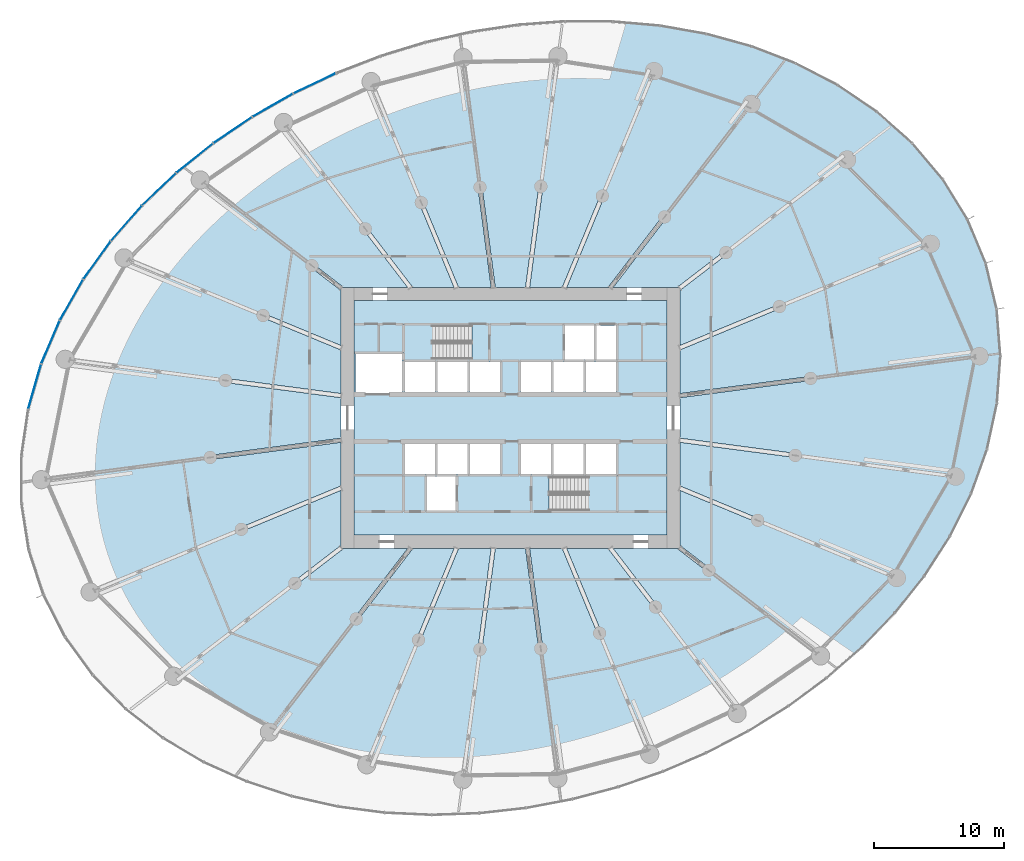
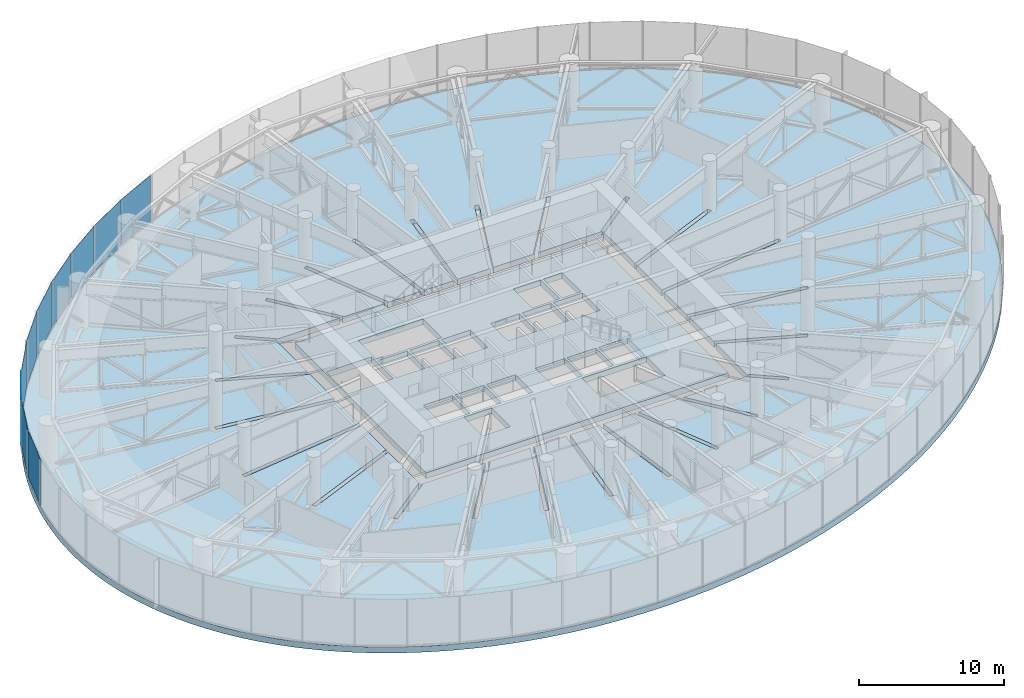
# One storey, part 19 of 42: 10 plates, 4 slabs, 5 elements without a shape of their own.
"""IFC4 building model written with IfcOpenShell, lengths in metres."""

from ifc_helpers import new_model, si_unit, direction, frame, origin, origin_2d, place, context, subcontext, project, spatial, line, indexed_curve, rectangle, outline, extrude, source, transform, mapped, material, layer, layer_set, type_object, element, aggregate, save


model = new_model("IFC4")

# Units and contexts
model_context = context("Model", 3, precision=1e-05, world=origin(), true_north=direction((0.0, 1.0)))
body_context = subcontext(model_context, "Body", "Model", "MODEL_VIEW")
ifc_project = project(units=[si_unit("LENGTHUNIT", "METRE"), si_unit("AREAUNIT", "SQUARE_METRE"), si_unit("VOLUMEUNIT", "CUBIC_METRE"), si_unit("PLANEANGLEUNIT", "RADIAN"), si_unit("MASSUNIT", "GRAM", prefix="KILO")], contexts=[model_context])

# Site, building, storey
site_placement = place(None, origin())
site = spatial("IfcSite", under=ifc_project, at=site_placement, CompositionType="ELEMENT")
building_placement = place(site_placement, origin())
building = spatial("IfcBuilding", under=site, at=building_placement, Name="Spindrift Exchange Tower", CompositionType="ELEMENT")
storey_placement = place(building_placement, frame((0.0, 0.0, 75.39990234375)))
storey = spatial("IfcBuildingStorey", under=building, at=storey_placement, Name="L17", CompositionType="ELEMENT", Elevation=75.39990234375)

# Slabs
ifc_material_1 = material(Name="Concrete 50 MPa", Category="concrete")
ifc_layer_1 = layer(ifc_material_1, 0.5)
ifc_layer_set_1 = layer_set([ifc_layer_1], Name="RC Floor Slab 500 Concrete 50 MPa")
slab_type_1 = type_object("IfcSlabType", Name="RC Floor Slab 500 Concrete 50 MPa", PredefinedType="FLOOR", material=ifc_layer_set_1)
slab_1_placement = place(storey_placement, frame((0.0, 0.0, -0.5)))
element("IfcSlab", 1, at=slab_1_placement, inside=storey, type_object=slab_type_1, Name="Floor slab L17", PredefinedType="FLOOR", context=body_context, shape_type="SweptSolid", body=[
    extrude(outline(indexed_curve([(88.4638671875, 59.879150390625), (88.272216796875, 60.44189453125), (88.06591796875, 60.999755859375), (87.84521484375, 61.5517578125), (87.610107421875, 62.097900390625), (87.36083984375, 62.6376953125), (87.097900390625, 63.1708984375), (86.82080078125, 63.697265625), (86.53076171875, 64.21630859375), (86.227294921875, 64.7275390625), (85.9111328125, 65.231201171875), (85.582275390625, 65.7265625), (85.2412109375, 66.213623046875), (84.88818359375, 66.69189453125), (84.5234375, 67.16162109375), (84.1474609375, 67.622314453125), (83.7607421875, 68.073974609375), (83.36328125, 68.51611328125), (82.955322265625, 68.948974609375), (82.53759765625, 69.3720703125), (82.1103515625, 69.78564453125), (81.673828125, 70.189208984375), (81.228515625, 70.583251953125), (80.7744140625, 70.96728515625), (80.312255859375, 71.34130859375), (79.842041015625, 71.705078125), (79.3642578125, 72.05908203125), (78.879150390625, 72.4033203125), (78.38720703125, 72.737060546875), (77.888427734375, 73.06103515625), (77.383544921875, 73.374755859375), (76.872314453125, 73.6787109375), (76.35546875, 73.972412109375), (75.8330078125, 74.25634765625), (75.305419921875, 74.530517578125), (74.7724609375, 74.794677734375), (74.235107421875, 75.048828125), (73.693115234375, 75.29345703125), (73.146728515625, 75.5283203125), (72.596435546875, 75.753662109375), (72.04248046875, 75.96923828125), (71.484619140625, 76.175537109375), (70.923583984375, 76.372314453125), (69.7919921875, 76.73779296875), (69.2216796875, 76.906494140625), (68.07373046875, 77.217041015625), (66.916748046875, 77.491455078125), (66.335205078125, 77.615234375), (65.751708984375, 77.730224609375), (64.580078125, 77.9345703125), (63.9921875, 78.023681640625), (62.81298828125, 78.1767578125), (62.2216796875, 78.240478515625), (61.037109375, 78.34375), (60.44384765625, 78.383056640625), (59.255859375, 78.4375), (58.06689453125, 78.460205078125), (57.47216796875, 78.459716796875), (56.877685546875, 78.451416015625), (55.689208984375, 78.411865234375), (55.09521484375, 78.380615234375), (53.9091796875, 78.29541015625), (53.31689453125, 78.24169921875), (52.134765625, 78.112060546875), (51.544921875, 78.0361328125), (50.368408203125, 77.86279296875), (49.196533203125, 77.66064453125), (48.612548828125, 77.549072265625), (48.02978515625, 77.43017578125), (46.869140625, 77.171630859375), (45.71484375, 76.88525390625), (44.56787109375, 76.5712890625), (43.4287109375, 76.22998046875), (42.8623046875, 76.049072265625), (41.736083984375, 75.667236328125), (40.619140625, 75.2587890625), (40.064453125, 75.04443359375), (38.963134765625, 74.595947265625), (38.41650390625, 74.36181640625), (37.331787109375, 73.8740234375), (36.259521484375, 73.360107421875), (35.72802734375, 73.09326171875), (35.199951171875, 72.820068359375), (34.15380859375, 72.25439453125), (33.122314453125, 71.662841796875), (32.612060546875, 71.357421875), (32.105712890625, 71.045654296875), (31.10498046875, 70.40283203125), (30.121337890625, 69.73486328125), (29.635986328125, 69.391357421875), (29.1552734375, 69.04150390625), (28.207763671875, 68.32275390625), (27.7412109375, 67.9541015625), (26.823486328125, 67.19775390625), (25.9267578125, 66.41650390625), (25.48681640625, 66.0166015625), (24.623779296875, 65.198486328125), (24.201416015625, 64.780029296875), (23.374755859375, 63.9248046875), (22.97119140625, 63.48828125), (22.18408203125, 62.596923828125), (21.80078125, 62.142333984375), (21.055908203125, 61.21533203125), (20.694580078125, 60.742919921875), (19.995361328125, 59.781005859375), (19.657958984375, 59.29150390625), (19.32861328125, 58.79638671875), (19.0078125, 58.295654296875), (18.69580078125, 57.78955078125), (18.392822265625, 57.27783203125), (18.098876953125, 56.760986328125), (17.814453125, 56.239013671875), (17.53955078125, 55.711669921875), (17.2744140625, 55.179443359375), (17.01953125, 54.64208984375), (16.77490234375, 54.100341796875), (16.540771484375, 53.5537109375), (16.3173828125, 53.00244140625), (16.105224609375, 52.447021484375), (15.904296875, 51.887451171875), (15.715087890625, 51.32373046875), (15.537353515625, 50.75634765625), (15.371826171875, 50.185302734375), (15.21875, 49.610595703125), (15.077880859375, 49.032958984375), (14.949951171875, 48.452392578125), (14.835205078125, 47.868896484375), (14.7333984375, 47.282958984375), (14.64501953125, 46.695068359375), (14.570556640625, 46.10498046875), (14.509765625, 45.513671875), (14.463134765625, 44.9208984375), (14.4306640625, 44.3271484375), (14.41259765625, 43.73291015625), (14.4091796875, 43.13818359375), (14.42041015625, 42.543701171875), (14.446533203125, 41.94970703125), (14.487548828125, 41.3564453125), (14.543701171875, 40.764404296875), (14.61474609375, 40.174072265625), (14.700927734375, 39.585693359375), (14.802490234375, 39.0), (14.919189453125, 38.4169921875), (15.05078125, 37.8369140625), (15.197509765625, 37.2607421875), (15.359375, 36.688720703125), (15.5361328125, 36.120849609375), (15.727783203125, 35.55810546875), (15.93408203125, 35.000244140625), (16.15478515625, 34.4482421875), (16.389892578125, 33.902099609375), (16.63916015625, 33.3623046875), (16.902099609375, 32.8291015625), (17.17919921875, 32.302734375), (17.46923828125, 31.78369140625), (17.772705078125, 31.2724609375), (18.0888671875, 30.768798828125), (18.417724609375, 30.2734375), (18.7587890625, 29.786376953125), (19.11181640625, 29.30810546875), (19.4765625, 28.83837890625), (19.8525390625, 28.377685546875), (20.2392578125, 27.926025390625), (20.63671875, 27.48388671875), (21.044677734375, 27.051025390625), (21.46240234375, 26.6279296875), (21.8896484375, 26.21435546875), (22.326171875, 25.810791015625), (22.771484375, 25.416748046875), (23.2255859375, 25.03271484375), (23.687744140625, 24.65869140625), (24.157958984375, 24.294921875), (24.6357421875, 23.94091796875), (25.120849609375, 23.5966796875), (25.61279296875, 23.262939453125), (26.111572265625, 22.93896484375), (26.616455078125, 22.625244140625), (27.127685546875, 22.3212890625), (27.64453125, 22.027587890625), (28.1669921875, 21.74365234375), (28.694580078125, 21.469482421875), (29.2275390625, 21.205322265625), (29.764892578125, 20.951171875), (30.306884765625, 20.70654296875), (30.853271484375, 20.4716796875), (31.403564453125, 20.246337890625), (31.95751953125, 20.03076171875), (32.515380859375, 19.824462890625), (33.076416015625, 19.627685546875), (34.2080078125, 19.26220703125), (34.7783203125, 19.093505859375), (35.92626953125, 18.782958984375), (37.083251953125, 18.508544921875), (37.664794921875, 18.384765625), (38.248291015625, 18.269775390625), (39.419921875, 18.0654296875), (40.0078125, 17.976318359375), (41.18701171875, 17.8232421875), (41.7783203125, 17.759521484375), (42.962890625, 17.65625), (43.55615234375, 17.616943359375), (44.744140625, 17.5625), (45.93310546875, 17.539794921875), (46.52783203125, 17.540283203125), (47.122314453125, 17.548583984375), (48.310791015625, 17.588134765625), (48.90478515625, 17.619384765625), (50.0908203125, 17.70458984375), (50.68310546875, 17.75830078125), (51.865234375, 17.887939453125), (52.455078125, 17.9638671875), (53.631591796875, 18.13720703125), (54.218017578125, 18.234619140625), (55.387451171875, 18.450927734375), (55.97021484375, 18.56982421875), (57.130859375, 18.828369140625), (58.28515625, 19.11474609375), (59.43212890625, 19.4287109375), (60.5712890625, 19.77001953125), (61.1376953125, 19.950927734375), (62.263916015625, 20.332763671875), (63.380859375, 20.7412109375), (63.935546875, 20.95556640625), (65.036865234375, 21.404052734375), (65.58349609375, 21.63818359375), (66.668212890625, 22.1259765625), (67.740478515625, 22.639892578125), (68.27197265625, 22.90673828125), (68.800048828125, 23.179931640625), (69.84619140625, 23.74560546875), (70.877685546875, 24.337158203125), (71.387939453125, 24.642578125), (71.894287109375, 24.954345703125), (72.89501953125, 25.59716796875), (73.878662109375, 26.26513671875), (74.364013671875, 26.608642578125), (74.8447265625, 26.95849609375), (75.792236328125, 27.67724609375), (76.72021484375, 28.4208984375), (77.176513671875, 28.80224609375), (78.0732421875, 29.58349609375), (78.51318359375, 29.9833984375), (79.376220703125, 30.801513671875), (79.798583984375, 31.219970703125), (80.625244140625, 32.0751953125), (81.02880859375, 32.51171875), (81.81591796875, 33.403076171875), (82.19921875, 33.857666015625), (82.944091796875, 34.78466796875), (83.305419921875, 35.257080078125), (84.004638671875, 36.218994140625), (84.342041015625, 36.70849609375), (84.67138671875, 37.20361328125), (84.9921875, 37.704345703125), (85.30419921875, 38.21044921875), (85.607177734375, 38.72216796875), (85.901123046875, 39.239013671875), (86.185546875, 39.760986328125), (86.46044921875, 40.288330078125), (86.7255859375, 40.820556640625), (86.98046875, 41.35791015625), (87.22509765625, 41.899658203125), (87.459228515625, 42.4462890625), (87.6826171875, 42.99755859375), (87.894775390625, 43.552978515625), (88.095703125, 44.112548828125), (88.284912109375, 44.67626953125), (88.462646484375, 45.24365234375), (88.628173828125, 45.814697265625), (88.78125, 46.389404296875), (88.922119140625, 46.967041015625), (89.050048828125, 47.547607421875), (89.164794921875, 48.131103515625), (89.2666015625, 48.717041015625), (89.35498046875, 49.304931640625), (89.429443359375, 49.89501953125), (89.490234375, 50.486328125), (89.536865234375, 51.0791015625), (89.5693359375, 51.6728515625), (89.58740234375, 52.26708984375), (89.5908203125, 52.86181640625), (89.57958984375, 53.456298828125), (89.553466796875, 54.05029296875), (89.512451171875, 54.6435546875), (89.456298828125, 55.235595703125), (89.38525390625, 55.825927734375), (89.299072265625, 56.414306640625), (89.197509765625, 57.0), (89.080810546875, 57.5830078125), (88.94921875, 58.1630859375), (88.802490234375, 58.7392578125), (88.640625, 59.311279296875)], segments=[line(1, 2, 3, 4, 5, 6, 7, 8, 9, 10, 11, 12, 13, 14, 15, 16, 17, 18, 19, 20, 21, 22, 23, 24, 25, 26, 27, 28, 29, 30, 31, 32, 33, 34, 35, 36, 37, 38, 39, 40, 41, 42, 43, 44, 45, 46, 47, 48, 49, 50, 51, 52, 53, 54, 55, 56, 57, 58, 59, 60, 61, 62, 63, 64, 65, 66, 67, 68, 69, 70, 71, 72, 73, 74, 75, 76, 77, 78, 79, 80, 81, 82, 83, 84, 85, 86, 87, 88, 89, 90, 91, 92, 93, 94, 95, 96, 97, 98, 99, 100, 101, 102, 103, 104, 105, 106, 107, 108, 109, 110, 111, 112, 113, 114, 115, 116, 117, 118, 119, 120, 121, 122, 123, 124, 125, 126, 127, 128, 129, 130, 131, 132, 133, 134, 135, 136, 137, 138, 139, 140, 141, 142, 143, 144, 145, 146, 147, 148, 149, 150, 151, 152, 153, 154, 155, 156, 157, 158, 159, 160, 161, 162, 163, 164, 165, 166, 167, 168, 169, 170, 171, 172, 173, 174, 175, 176, 177, 178, 179, 180, 181, 182, 183, 184, 185, 186, 187, 188, 189, 190, 191, 192, 193, 194, 195, 196, 197, 198, 199, 200, 201, 202, 203, 204, 205, 206, 207, 208, 209, 210, 211, 212, 213, 214, 215, 216, 217, 218, 219, 220, 221, 222, 223, 224, 225, 226, 227, 228, 229, 230, 231, 232, 233, 234, 235, 236, 237, 238, 239, 240, 241, 242, 243, 244, 245, 246, 247, 248, 249, 250, 251, 252, 253, 254, 255, 256, 257, 258, 259, 260, 261, 262, 263, 264, 265, 266, 267, 268, 269, 270, 271, 272, 273, 274, 275, 276, 277, 278, 279, 280, 281, 282, 283, 284, 285, 286, 287, 288, 289, 290, 291, 292, 1)], self_intersect=False), holes=[indexed_curve([(73.883544921875, 45.27587890625), (73.843017578125, 44.967529296875), (65.0, 46.131591796875), (65.0, 42.66748046875), (65.041015625, 42.7666015625), (71.031982421875, 40.284912109375), (70.9130859375, 39.997802734375), (65.0, 42.447021484375), (65.0, 38.0576171875), (65.078857421875, 38.160400390625), (67.326904296875, 36.43505859375), (67.1376953125, 36.1884765625), (64.889404296875, 37.91357421875), (64.955810546875, 38.0), (59.869384765625, 38.0), (63.257080078125, 33.584716796875), (63.010498046875, 33.3955078125), (59.53759765625, 37.921142578125), (59.640380859375, 38.0), (56.310302734375, 38.0), (58.9853515625, 31.5419921875), (58.697998046875, 31.423095703125), (55.99072265625, 37.958984375), (56.08984375, 38.0), (53.473388671875, 38.0), (54.48486328125, 30.317138671875), (54.176513671875, 30.276611328125), (53.15966796875, 37.99951171875), (53.163330078125, 38.0), (50.836669921875, 38.0), (50.84033203125, 37.99951171875), (49.815185546875, 30.21240234375), (49.506591796875, 30.2529296875), (50.526611328125, 38.0), (47.91015625, 38.0), (48.00927734375, 37.958984375), (45.089111328125, 30.9091796875), (44.8017578125, 31.0283203125), (47.689697265625, 38.0), (44.359619140625, 38.0), (44.46240234375, 37.921142578125), (40.288330078125, 32.4814453125), (40.04150390625, 32.6708984375), (44.130615234375, 38.0), (39.044189453125, 38.0), (39.110595703125, 37.91357421875), (35.559814453125, 35.18896484375), (35.37060546875, 35.435791015625), (38.921142578125, 38.160400390625), (39.0, 38.0576171875), (39.0, 42.447021484375), (31.420166015625, 39.307373046875), (31.30126953125, 39.594482421875), (38.958984375, 42.7666015625), (39.0, 42.66748046875), (39.0, 46.131591796875), (28.986328125, 44.8134765625), (28.94580078125, 45.12158203125), (38.99951171875, 46.4453125), (39.0, 46.441650390625), (39.0, 49.558349609375), (38.99951171875, 49.5546875), (30.116455078125, 50.72412109375), (30.156982421875, 51.032470703125), (39.0, 49.868408203125), (39.0, 53.33251953125), (38.958984375, 53.2333984375), (32.968017578125, 55.715087890625), (33.0869140625, 56.002197265625), (39.0, 53.552978515625), (39.0, 57.9423828125), (38.921142578125, 57.839599609375), (36.673095703125, 59.56494140625), (36.8623046875, 59.8115234375), (39.110595703125, 58.08642578125), (39.044189453125, 58.0), (44.130615234375, 58.0), (40.742919921875, 62.415283203125), (40.989501953125, 62.6044921875), (44.46240234375, 58.078857421875), (44.359619140625, 58.0), (47.689697265625, 58.0), (45.0146484375, 64.4580078125), (45.302001953125, 64.576904296875), (48.00927734375, 58.041015625), (47.91015625, 58.0), (50.526611328125, 58.0), (49.51513671875, 65.682861328125), (49.823486328125, 65.723388671875), (50.84033203125, 58.00048828125), (50.836669921875, 58.0), (53.163330078125, 58.0), (53.15966796875, 58.00048828125), (54.184814453125, 65.78759765625), (54.493408203125, 65.7470703125), (53.473388671875, 58.0), (56.08984375, 58.0), (55.99072265625, 58.041015625), (58.910888671875, 65.0908203125), (59.1982421875, 64.9716796875), (56.310302734375, 58.0), (59.640380859375, 58.0), (59.53759765625, 58.078857421875), (63.711669921875, 63.5185546875), (63.95849609375, 63.3291015625), (59.869384765625, 58.0), (64.955810546875, 58.0), (64.889404296875, 58.08642578125), (68.440185546875, 60.81103515625), (68.62939453125, 60.564208984375), (65.078857421875, 57.839599609375), (65.0, 57.9423828125), (65.0, 53.552978515625), (72.579833984375, 56.692626953125), (72.69873046875, 56.405517578125), (65.041015625, 53.2333984375), (65.0, 53.33251953125), (65.0, 49.868408203125), (75.013671875, 51.1865234375), (75.05419921875, 50.87841796875), (65.00048828125, 49.5546875), (65.0, 49.558349609375), (65.0, 46.441650390625), (65.00048828125, 46.4453125)], segments=[line(1, 2, 3, 4, 5, 6, 7, 8, 9, 10, 11, 12, 13, 14, 15, 16, 17, 18, 19, 20, 21, 22, 23, 24, 25, 26, 27, 28, 29, 30, 31, 32, 33, 34, 35, 36, 37, 38, 39, 40, 41, 42, 43, 44, 45, 46, 47, 48, 49, 50, 51, 52, 53, 54, 55, 56, 57, 58, 59, 60, 61, 62, 63, 64, 65, 66, 67, 68, 69, 70, 71, 72, 73, 74, 75, 76, 77, 78, 79, 80, 81, 82, 83, 84, 85, 86, 87, 88, 89, 90, 91, 92, 93, 94, 95, 96, 97, 98, 99, 100, 101, 102, 103, 104, 105, 106, 107, 108, 109, 110, 111, 112, 113, 114, 115, 116, 117, 118, 119, 120, 121, 122, 123, 124, 1)], self_intersect=False)]), origin(), (0.0, 0.0, 1.0), 0.5),
])
ifc_layer_2 = layer(ifc_material_1, 0.5)
ifc_layer_set_2 = layer_set([ifc_layer_2], Name="SL-CORE-FLOOR-500")
slab_type_2 = type_object("IfcSlabType", Name="SL-CORE-FLOOR-500", PredefinedType="FLOOR", material=ifc_layer_set_2)
slab_2_placement = place(storey_placement, frame((0.0, 0.0, -0.5)))
element("IfcSlab", 2, at=slab_2_placement, inside=storey, type_object=slab_type_2, Name="L17 Core floor slab", PredefinedType="FLOOR", context=body_context, shape_type="SweptSolid", body=[
    extrude(outline(indexed_curve([(40.0, 39.0), (40.0, 57.0), (64.0, 57.0), (64.0, 39.0)], segments=[line(1, 2, 3, 4, 1)], self_intersect=False), holes=[indexed_curve([(47.800048828125, 43.5), (45.60009765625, 43.5), (45.60009765625, 40.89990234375), (47.800048828125, 40.89990234375)], segments=[line(1, 2, 3, 4, 1)], self_intersect=False), indexed_curve([(46.199951171875, 46.10009765625), (43.89990234375, 46.10009765625), (43.89990234375, 43.699951171875), (46.199951171875, 43.699951171875)], segments=[line(1, 2, 3, 4, 1)], self_intersect=False), indexed_curve([(48.699951171875, 46.10009765625), (46.39990234375, 46.10009765625), (46.39990234375, 43.699951171875), (48.699951171875, 43.699951171875)], segments=[line(1, 2, 3, 4, 1)], self_intersect=False), indexed_curve([(51.199951171875, 46.10009765625), (48.89990234375, 46.10009765625), (48.89990234375, 43.699951171875), (51.199951171875, 43.699951171875)], segments=[line(1, 2, 3, 4, 1)], self_intersect=False), indexed_curve([(46.199951171875, 52.300048828125), (43.89990234375, 52.300048828125), (43.89990234375, 49.89990234375), (46.199951171875, 49.89990234375)], segments=[line(1, 2, 3, 4, 1)], self_intersect=False), indexed_curve([(48.699951171875, 52.300048828125), (46.39990234375, 52.300048828125), (46.39990234375, 49.89990234375), (48.699951171875, 49.89990234375)], segments=[line(1, 2, 3, 4, 1)], self_intersect=False), indexed_curve([(51.199951171875, 52.300048828125), (48.89990234375, 52.300048828125), (48.89990234375, 49.89990234375), (51.199951171875, 49.89990234375)], segments=[line(1, 2, 3, 4, 1)], self_intersect=False), indexed_curve([(43.699951171875, 49.89990234375), (43.699951171875, 52.89990234375), (40.10009765625, 52.89990234375), (40.10009765625, 49.89990234375)], segments=[line(1, 2, 3, 4, 1)], self_intersect=False), indexed_curve([(49.0439453125, 55.093994140625), (43.906005859375, 55.093994140625), (43.906005859375, 52.506103515625), (49.0439453125, 52.506103515625)], segments=[line(1, 2, 3, 4, 1)], self_intersect=False), indexed_curve([(60.093994140625, 40.906005859375), (60.093994140625, 43.493896484375), (54.9560546875, 43.493896484375), (54.9560546875, 40.906005859375)], segments=[line(1, 2, 3, 4, 1)], self_intersect=False), indexed_curve([(55.10009765625, 46.10009765625), (52.800048828125, 46.10009765625), (52.800048828125, 43.699951171875), (55.10009765625, 43.699951171875)], segments=[line(1, 2, 3, 4, 1)], self_intersect=False), indexed_curve([(57.60009765625, 46.10009765625), (55.300048828125, 46.10009765625), (55.300048828125, 43.699951171875), (57.60009765625, 43.699951171875)], segments=[line(1, 2, 3, 4, 1)], self_intersect=False), indexed_curve([(60.10009765625, 46.10009765625), (57.800048828125, 46.10009765625), (57.800048828125, 43.699951171875), (60.10009765625, 43.699951171875)], segments=[line(1, 2, 3, 4, 1)], self_intersect=False), indexed_curve([(55.10009765625, 52.300048828125), (52.800048828125, 52.300048828125), (52.800048828125, 49.89990234375), (55.10009765625, 49.89990234375)], segments=[line(1, 2, 3, 4, 1)], self_intersect=False), indexed_curve([(57.60009765625, 52.300048828125), (55.300048828125, 52.300048828125), (55.300048828125, 49.89990234375), (57.60009765625, 49.89990234375)], segments=[line(1, 2, 3, 4, 1)], self_intersect=False), indexed_curve([(60.10009765625, 52.300048828125), (57.800048828125, 52.300048828125), (57.800048828125, 49.89990234375), (60.10009765625, 49.89990234375)], segments=[line(1, 2, 3, 4, 1)], self_intersect=False), indexed_curve([(58.39990234375, 52.5), (58.39990234375, 55.10009765625), (56.199951171875, 55.10009765625), (56.199951171875, 52.5)], segments=[line(1, 2, 3, 4, 1)], self_intersect=False), indexed_curve([(60.10009765625, 52.5), (60.10009765625, 55.10009765625), (58.60009765625, 55.10009765625), (58.60009765625, 52.5)], segments=[line(1, 2, 3, 4, 1)], self_intersect=False)]), origin(), (0.0, 0.0, 1.0), 0.5),
])

# Stair, slab
stair_type = type_object("IfcStairType", Name="ST-1250-R183", PredefinedType="HALF_TURN_STAIR", material=ifc_material_1)
stair_1_placement = place(storey_placement, origin())
stair_1 = element("IfcStair", 3, at=stair_1_placement, inside=storey, type_object=stair_type, Name="L17 Exit stair ST1", PredefinedType="HALF_TURN_STAIR")
ifc_layer_3 = layer(ifc_material_1, 0.199951171875)
ifc_layer_set_3 = layer_set([ifc_layer_3], Name="SL-LANDING")
slab_type_3 = type_object("IfcSlabType", Name="SL-LANDING", PredefinedType="LANDING", material=ifc_layer_set_3)
slab_3_placement = place(storey_placement, frame((0.0, 0.0, 2.0)))
slab_3 = element("IfcSlab", 4, at=slab_3_placement, type_object=slab_type_3, Name="ST1 landing 1", PredefinedType="LANDING", context=body_context, shape_type="SweptSolid", body=[
    extrude(outline(indexed_curve([(46.050048828125, 52.39990234375), (43.800048828125, 52.39990234375), (43.800048828125, 55.199951171875), (46.050048828125, 55.199951171875)], segments=[line(1, 2, 3, 4, 1)], self_intersect=False)), origin(), (0.0, 0.0, 1.0), 0.2001953125),
])
aggregate(stair_1, [slab_3])

stair_2_placement = place(storey_placement, origin())
stair_2 = element("IfcStair", 5, at=stair_2_placement, inside=storey, type_object=stair_type, Name="L17 Exit stair ST2", PredefinedType="HALF_TURN_STAIR")
slab_4_placement = place(storey_placement, frame((0.0, 0.0, 2.0)))
slab_4 = element("IfcSlab", 6, at=slab_4_placement, type_object=slab_type_3, Name="ST2 landing 1", PredefinedType="LANDING", context=body_context, shape_type="SweptSolid", body=[
    extrude(outline(indexed_curve([(57.949951171875, 43.60009765625), (60.199951171875, 43.60009765625), (60.199951171875, 40.800048828125), (57.949951171875, 40.800048828125)], segments=[line(1, 2, 3, 4, 1)], self_intersect=False)), origin(), (0.0, 0.0, 1.0), 0.2001953125),
])
aggregate(stair_2, [slab_4])

# Curtain wall, plates
ifc_material_2 = material(Name="Fritted laminated glass with bronze frame", Category="glass")
ifc_layer_4 = layer(ifc_material_2, 0.199951171875)
ifc_layer_set_4 = layer_set([ifc_layer_4], Name="ZONE 1 BRONZE FRITTED WALL")
curtain_wall_type = type_object("IfcCurtainWallType", Name="ZONE 1 BRONZE FRITTED WALL", PredefinedType="NOTDEFINED", material=ifc_layer_set_4)
curtain_wall_1_placement = place(storey_placement, origin())
curtain_wall_1 = element("IfcCurtainWall", 7, at=curtain_wall_1_placement, inside=storey, type_object=curtain_wall_type, Name="L17 Zone 1 Bronze Fritted Wall run 4", PredefinedType="NOTDEFINED")
ifc_material_3 = material(Name="Bronze fritted laminated glass, dense frit", Category="glass")
ifc_layer_5 = layer(ifc_material_3, 0.035888671875)
ifc_layer_set_5 = layer_set([ifc_layer_5], Name="ZONE 1 BRONZE FRITTED WALL PANEL DENSE FRIT 300")
plate_type_1 = type_object("IfcPlateType", Name="ZONE 1 BRONZE FRITTED WALL PANEL DENSE FRIT 300", PredefinedType="CURTAIN_PANEL", material=ifc_layer_set_5)
shared_shape_1 = source(origin(), body_context, "Body", "SweptSolid", [
    extrude(rectangle(XDim=3.54638671875, YDim=0.035888671875, at=origin_2d()), origin(), (0.0, 0.0, 1.0), 3.85009765625),
])
plate_1_placement = place(storey_placement, frame((18.3203125, 57.052490234375, 0.150146484375), z_axis=(0.0, 0.0, 1.0), x_axis=(-0.495646646779, -0.868524266522, 0.0)))
plate_1 = element("IfcPlate", 8, at=plate_1_placement, type_object=plate_type_1, Name="L17 panel CW-1.24", PredefinedType="CURTAIN_PANEL", context=body_context, shape_type="MappedRepresentation", body=[
    mapped(shared_shape_1, transform((0.0, 0.0, 0.0), scale=1.0)),
])
ifc_layer_6 = layer(ifc_material_3, 0.035888671875)
ifc_layer_set_6 = layer_set([ifc_layer_6], Name="ZONE 1 BRONZE FRITTED WALL PANEL DENSE FRIT 420")
plate_type_2 = type_object("IfcPlateType", Name="ZONE 1 BRONZE FRITTED WALL PANEL DENSE FRIT 420", PredefinedType="CURTAIN_PANEL", material=ifc_layer_set_6)
shared_shape_2 = source(origin(), body_context, "Body", "SweptSolid", [
    extrude(rectangle(XDim=3.547119140625, YDim=0.035888671875, at=origin_2d()), origin(), (0.0, 0.0, 1.0), 3.85009765625),
])
plate_2_placement = place(storey_placement, frame((27.7724609375, 67.93115234375, 0.150146484375), z_axis=(0.0, 0.0, 1.0), x_axis=(-0.780344190831, -0.625350256926, 0.0)))
plate_2 = element("IfcPlate", 9, at=plate_2_placement, type_object=plate_type_2, Name="L17 panel CW-1.20", PredefinedType="CURTAIN_PANEL", context=body_context, shape_type="MappedRepresentation", body=[
    mapped(shared_shape_2, transform((0.0, 0.0, 0.0), scale=1.0)),
])
shared_shape_3 = source(origin(), body_context, "Body", "SweptSolid", [
    extrude(rectangle(XDim=3.547119140625, YDim=0.035888671875, at=origin_2d()), origin(), (0.0, 0.0, 1.0), 3.85009765625),
])
plate_3_placement = place(storey_placement, frame((25.043212890625, 65.547119140625, 0.150146484375), z_axis=(0.0, 0.0, 1.0), x_axis=(-0.724626669582, -0.689141632562, 0.0)))
plate_3 = element("IfcPlate", 10, at=plate_3_placement, type_object=plate_type_1, Name="L17 panel CW-1.21", PredefinedType="CURTAIN_PANEL", context=body_context, shape_type="MappedRepresentation", body=[
    mapped(shared_shape_3, transform((0.0, 0.0, 0.0), scale=1.0)),
])
shared_shape_4 = source(origin(), body_context, "Body", "SweptSolid", [
    extrude(rectangle(XDim=3.54736328125, YDim=0.035888671875, at=origin_2d()), origin(), (0.0, 0.0, 1.0), 3.85009765625),
])
plate_4_placement = place(storey_placement, frame((30.689453125, 70.08203125, 0.150146484375), z_axis=(0.0, 0.0, 1.0), x_axis=(-0.828059356122, -0.5606404398, 0.0)))
plate_4 = element("IfcPlate", 11, at=plate_4_placement, type_object=plate_type_1, Name="L17 panel CW-1.19", PredefinedType="CURTAIN_PANEL", context=body_context, shape_type="MappedRepresentation", body=[
    mapped(shared_shape_4, transform((0.0, 0.0, 0.0), scale=1.0)),
])

curtain_wall_2_placement = place(storey_placement, origin())
curtain_wall_2 = element("IfcCurtainWall", 12, at=curtain_wall_2_placement, inside=storey, type_object=curtain_wall_type, Name="L17 Zone 1 Bronze Fritted Wall run 3", PredefinedType="NOTDEFINED")
shared_shape_5 = source(origin(), body_context, "Body", "SweptSolid", [
    extrude(rectangle(XDim=3.54736328125, YDim=0.035888671875, at=origin_2d()), origin(), (0.0, 0.0, 1.0), 3.85009765625),
])
plate_5_placement = place(storey_placement, frame((33.76708984375, 71.996826171875, 0.150146484375), z_axis=(0.0, 0.0, 1.0), x_axis=(-0.868831198431, -0.495108421088, 0.0)))
plate_5 = element("IfcPlate", 13, at=plate_5_placement, type_object=plate_type_2, Name="L17 panel CW-1.18", PredefinedType="CURTAIN_PANEL", context=body_context, shape_type="MappedRepresentation", body=[
    mapped(shared_shape_5, transform((0.0, 0.0, 0.0), scale=1.0)),
])
ifc_layer_7 = layer(ifc_material_3, 0.035888671875)
ifc_layer_set_7 = layer_set([ifc_layer_7], Name="ZONE 1 BRONZE FRITTED WALL PANEL DENSE FRIT 180")
plate_type_3 = type_object("IfcPlateType", Name="ZONE 1 BRONZE FRITTED WALL PANEL DENSE FRIT 180", PredefinedType="CURTAIN_PANEL", material=ifc_layer_set_7)
shared_shape_6 = source(origin(), body_context, "Body", "SweptSolid", [
    extrude(rectangle(XDim=3.54736328125, YDim=0.035888671875, at=origin_2d()), origin(), (0.0, 0.0, 1.0), 3.85009765625),
])
plate_6_placement = place(storey_placement, frame((36.9814453125, 73.67236328125, 0.150146484375), z_axis=(0.0, 0.0, 1.0), x_axis=(-0.903445312187, -0.428703356514, 0.0)))
plate_6 = element("IfcPlate", 14, at=plate_6_placement, type_object=plate_type_3, Name="L17 panel CW-1.17", PredefinedType="CURTAIN_PANEL", context=body_context, shape_type="MappedRepresentation", body=[
    mapped(shared_shape_6, transform((0.0, 0.0, 0.0), scale=1.0)),
])
aggregate(curtain_wall_2, [plate_6, plate_5])

# Plate
shared_shape_7 = source(origin(), body_context, "Body", "SweptSolid", [
    extrude(rectangle(XDim=3.546875, YDim=0.035888671875, at=origin_2d()), origin(), (0.0, 0.0, 1.0), 3.85009765625),
])
plate_7_placement = place(storey_placement, frame((22.53271484375, 62.9345703125, 0.150146484375), z_axis=(0.0, 0.0, 1.0), x_axis=(-0.659650193298, -0.751572765927, 0.0)))
plate_7 = element("IfcPlate", 15, at=plate_7_placement, type_object=plate_type_1, Name="L17 panel CW-1.22", PredefinedType="CURTAIN_PANEL", context=body_context, shape_type="MappedRepresentation", body=[
    mapped(shared_shape_7, transform((0.0, 0.0, 0.0), scale=1.0)),
])

shared_shape_8 = source(origin(), body_context, "Body", "SweptSolid", [
    extrude(rectangle(XDim=3.546630859375, YDim=0.035888671875, at=origin_2d()), origin(), (0.0, 0.0, 1.0), 3.85009765625),
])
plate_8_placement = place(storey_placement, frame((20.277587890625, 60.099365234375, 0.150146484375), z_axis=(0.0, 0.0, 1.0), x_axis=(-0.583888409514, -0.811833927127, 0.0)))
plate_8 = element("IfcPlate", 16, at=plate_8_placement, type_object=plate_type_3, Name="L17 panel CW-1.23", PredefinedType="CURTAIN_PANEL", context=body_context, shape_type="MappedRepresentation", body=[
    mapped(shared_shape_8, transform((0.0, 0.0, 0.0), scale=1.0)),
])

aggregate(curtain_wall_1, [plate_4, plate_2, plate_3, plate_7, plate_8, plate_1])

# Curtain wall, plates
curtain_wall_3_placement = place(storey_placement, origin())
curtain_wall_3 = element("IfcCurtainWall", 17, at=curtain_wall_3_placement, inside=storey, type_object=curtain_wall_type, Name="L17 Zone 1 Bronze Fritted Wall run 5", PredefinedType="NOTDEFINED")
shared_shape_9 = source(origin(), body_context, "Body", "SweptSolid", [
    extrude(rectangle(XDim=3.5458984375, YDim=0.035888671875, at=origin_2d()), origin(), (0.0, 0.0, 1.0), 3.85009765625),
])
plate_9_placement = place(storey_placement, frame((16.708251953125, 53.810791015625, 0.150146484375), z_axis=(0.0, 0.0, 1.0), x_axis=(-0.39343331989, -0.919353154561, 0.0)))
plate_9 = element("IfcPlate", 18, at=plate_9_placement, type_object=plate_type_3, Name="L17 panel CW-1.25", PredefinedType="CURTAIN_PANEL", context=body_context, shape_type="MappedRepresentation", body=[
    mapped(shared_shape_9, transform((0.0, 0.0, 0.0), scale=1.0)),
])
shared_shape_10 = source(origin(), body_context, "Body", "SweptSolid", [
    extrude(rectangle(XDim=3.545654296875, YDim=0.035888671875, at=origin_2d()), origin(), (0.0, 0.0, 1.0), 3.85009765625),
])
plate_10_placement = place(storey_placement, frame((15.494384765625, 50.401611328125, 0.150146484375), z_axis=(0.0, 0.0, 1.0), x_axis=(-0.276031596388, -0.961148561771, 0.0)))
plate_10 = element("IfcPlate", 19, at=plate_10_placement, type_object=plate_type_2, Name="L17 panel CW-1.26", PredefinedType="CURTAIN_PANEL", context=body_context, shape_type="MappedRepresentation", body=[
    mapped(shared_shape_10, transform((0.0, 0.0, 0.0), scale=1.0)),
])
aggregate(curtain_wall_3, [plate_9, plate_10])

save(model, "model.ifc")
